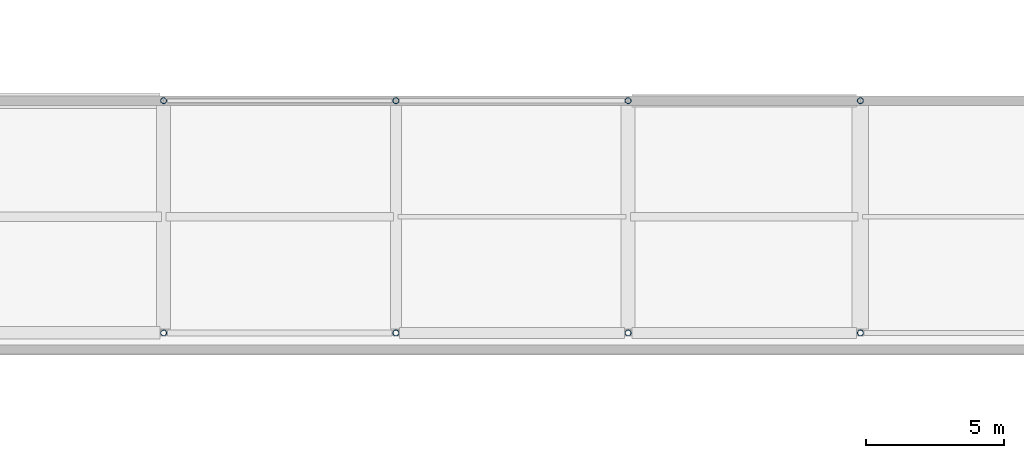
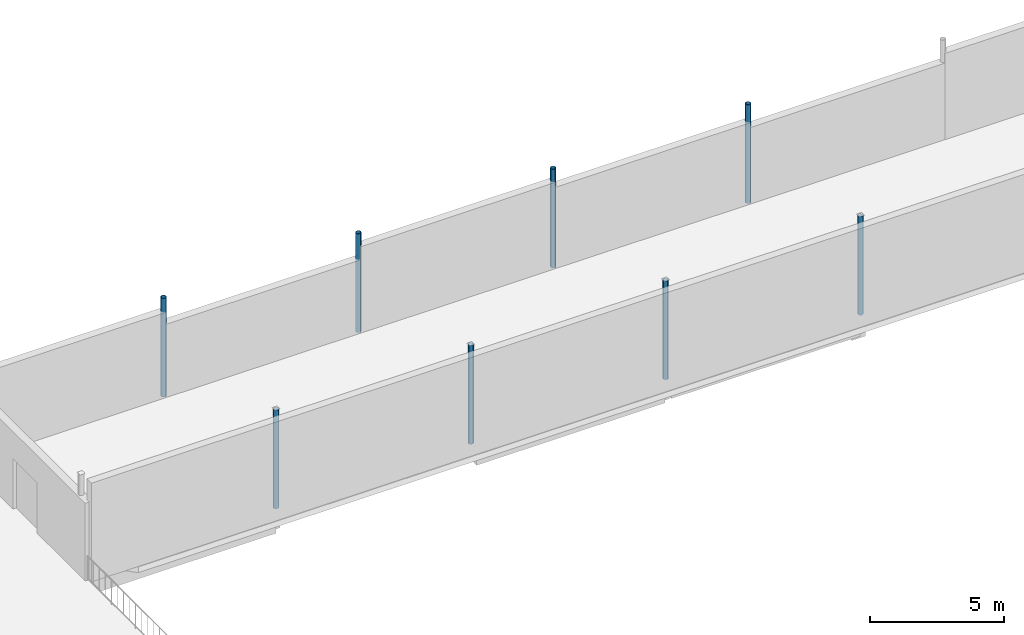
# One storey, part 12 of 75: 8 columns.
"""IFC4 building model written with IfcOpenShell, lengths in metres."""

from ifc_helpers import new_model, si_unit, derived_unit, direction, frame, origin, origin_2d, place, context, subcontext, project, spatial, hollow_circle, extrude, material, material_profile, profile_set, type_object, element, save


model = new_model("IFC4")

# Units and contexts
model_context = context("Model", 3, precision=1e-05, world=origin(), true_north=direction((0.0, 1.0)))
body_context = subcontext(model_context, "Body", "Model", "MODEL_VIEW")
ifc_project = project(units=[si_unit("LENGTHUNIT", "METRE"), si_unit("AREAUNIT", "SQUARE_METRE"), si_unit("VOLUMEUNIT", "CUBIC_METRE"), si_unit("PLANEANGLEUNIT", "RADIAN"), si_unit("MASSUNIT", "GRAM", prefix="KILO"), derived_unit("THERMALTRANSMITTANCEUNIT", [(si_unit("POWERUNIT", "WATT"), 1), (si_unit("LENGTHUNIT", "METRE"), -2), (si_unit("THERMODYNAMICTEMPERATUREUNIT", "KELVIN"), -1)])], contexts=[model_context])

# Site, building, storey
site_placement = place(None, origin())
site = spatial("IfcSite", under=ifc_project, at=site_placement, CompositionType="ELEMENT")
building_placement = place(site_placement, origin())
building = spatial("IfcBuilding", under=site, at=building_placement, Name="Barrovel Congress Hotel", CompositionType="ELEMENT")
storey_placement = place(building_placement, frame((0.0, 0.0, 5.39990234375)))
storey = spatial("IfcBuildingStorey", under=building, at=storey_placement, Name="L01", CompositionType="ELEMENT", Elevation=5.39990234375)

# Columns
ifc_material = material(Name="Steel ASTM A500 Grade C", Category="steel")
ifc_material_profile = material_profile(ifc_material, hollow_circle(Radius=0.109619140625, WallThickness=0.0087890625, at=origin_2d()), Name="CHS219.1x9.5")
ifc_profile_set = profile_set([ifc_material_profile], Name="Steel ASTM A500 Grade C")
column_type = type_object("IfcColumnType", Name="SCOL-CHS219.1x9.5", PredefinedType="COLUMN", material=ifc_profile_set)
for number, where, z_axis, x_axis, name in (
    (1, (67.199951171875, 96.60009765625, 0.0), (0.0, 0.0, 1.0), (1.0, 0.0, 0.0), "COL:L01:67.2:96.6"),
    (2, (67.199951171875, 105.0, 0.0), (0.0, 0.0, 1.0), (1.0, 0.0, 0.0), "COL:L01:67.2:105.0"),
    (3, (75.60009765625, 96.60009765625, 0.0), (0.0, 0.0, 1.0), (1.0, 0.0, 0.0), "COL:L01:75.6:96.6"),
    (4, (75.60009765625, 105.0, 0.0), (0.0, 0.0, 1.0), (1.0, 0.0, 0.0), "COL:L01:75.6:105.0"),
    (5, (84.0, 96.60009765625, 0.0), (0.0, 0.0, 1.0), (1.0, 0.0, 0.0), "COL:L01:84.0:96.6"),
    (6, (84.0, 105.0, 0.0), (0.0, 0.0, 1.0), (1.0, 0.0, 0.0), "COL:L01:84.0:105.0"),
    (7, (92.39990234375, 96.60009765625, 0.0), (0.0, 0.0, 1.0), (1.0, 0.0, 0.0), "COL:L01:92.4:96.6"),
    (8, (92.39990234375, 105.0, 0.0), (0.0, 0.0, 1.0), (1.0, 0.0, 0.0), "COL:L01:92.4:105.0"),
):
    element("IfcColumn", number, at=place(storey_placement, frame(where, z_axis=z_axis, x_axis=x_axis)), inside=storey, type_object=column_type, Name=name, PredefinedType="COLUMN", context=body_context, shape_type="SweptSolid", body=[
        extrude(hollow_circle(Radius=0.109619140625, WallThickness=0.0087890625, at=origin_2d()), origin(), (0.0, 0.0, 1.0), 4.5),
    ])

save(model, "model.ifc")
